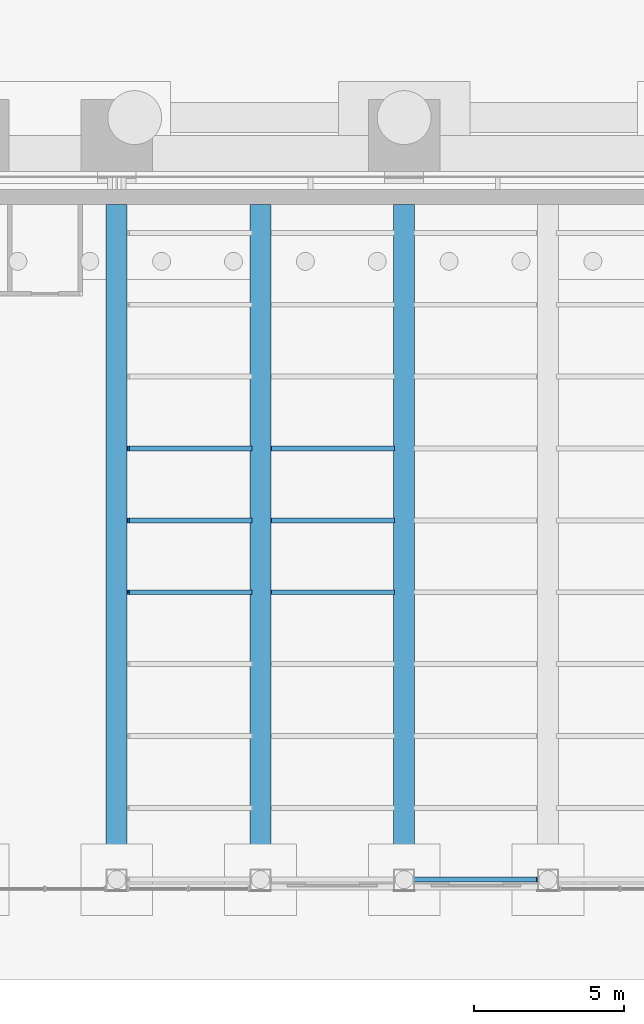
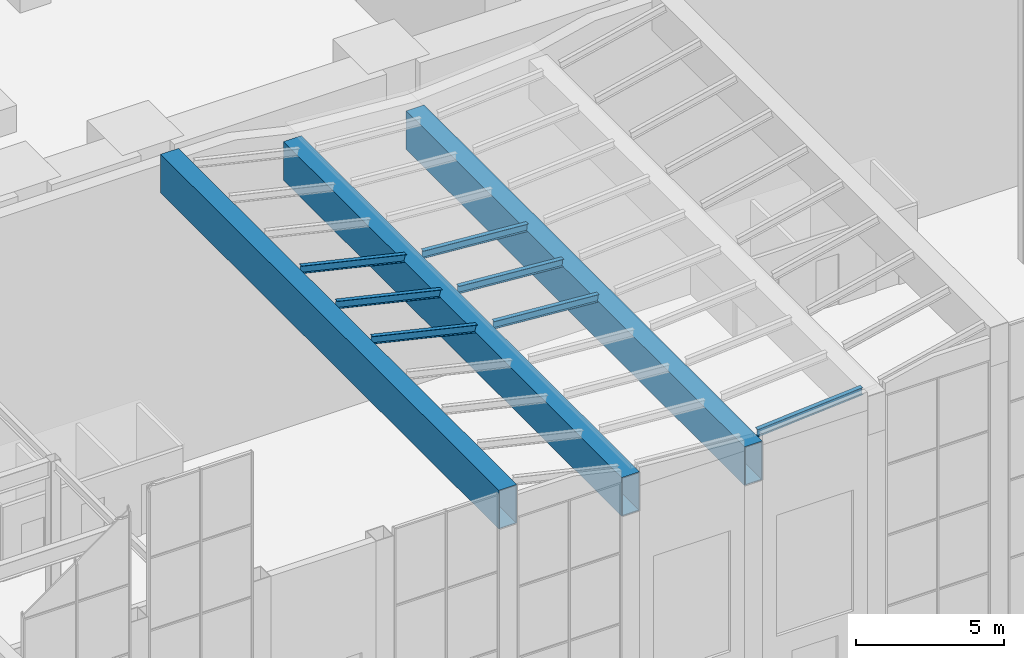
# One storey, part 23 of 58: 10 beams.
"""IFC4 building model written with IfcOpenShell, lengths in metres."""

from ifc_helpers import new_model, si_unit, direction, frame, origin, origin_2d, place, context, subcontext, project, spatial, hollow_rectangle, i_section, extrude, material, material_profile, profile_set, type_object, element, save


model = new_model("IFC4")

# Units and contexts
model_context = context("Model", 3, precision=1e-05, world=origin(), true_north=direction((0.0, 1.0)))
body_context = subcontext(model_context, "Body", "Model", "MODEL_VIEW")
ifc_project = project(units=[si_unit("LENGTHUNIT", "METRE"), si_unit("AREAUNIT", "SQUARE_METRE"), si_unit("VOLUMEUNIT", "CUBIC_METRE"), si_unit("PLANEANGLEUNIT", "RADIAN"), si_unit("MASSUNIT", "GRAM", prefix="KILO")], contexts=[model_context])

# Site, building, storey
site_placement = place(None, origin())
site = spatial("IfcSite", under=ifc_project, at=site_placement, CompositionType="ELEMENT")
building_placement = place(site_placement, origin())
building = spatial("IfcBuilding", under=site, at=building_placement, Name="Baori Bourse Tower", CompositionType="ELEMENT")
storey_placement = place(building_placement, origin())
storey = spatial("IfcBuildingStorey", under=building, at=storey_placement, Name="L00", CompositionType="ELEMENT", Elevation=0.0)

# Beams
ifc_material_1 = material(Name="Steel A572 Gr 50", Category="steel")
ifc_material_profile_1 = material_profile(ifc_material_1, hollow_rectangle(XDim=0.699951171875, YDim=1.60009765625, WallThickness=0.030029296875, at=origin_2d()), Name="BOX 1600x700x30")
ifc_profile_set_1 = profile_set([ifc_material_profile_1], Name="Steel A572 Gr 50")
beam_type_1 = type_object("IfcBeamType", Name="Hall box girder 1600x700", PredefinedType="BEAM", material=ifc_profile_set_1)
for number, where, z_axis, x_axis, name in (
    (1, (19.199951171875, -25.199951171875, 12.229248046875), (0.0, 1.0, 0.0), (-1.0, 0.0, 0.0), "wing/L00/girder/001"),
    (2, (24.0, -25.199951171875, 11.073486328125), (0.0, 1.0, 0.0), (-1.0, 0.0, 0.0), "wing/L00/girder/002"),
    (3, (28.800048828125, -25.199951171875, 10.665283203125), (0.0, 1.0, 0.0), (-1.0, 0.0, 0.0), "wing/L00/girder/003"),
):
    element("IfcBeam", number, at=place(storey_placement, frame(where, z_axis=z_axis, x_axis=x_axis)), inside=storey, type_object=beam_type_1, Name=name, PredefinedType="BEAM", context=body_context, shape_type="SweptSolid", body=[
        extrude(hollow_rectangle(XDim=0.699951171875, YDim=1.60009765625, WallThickness=0.030029296875, at=origin_2d()), origin(), (0.0, 0.0, 1.0), 22.89990234375),
    ])
ifc_material_2 = material(Name="Steel A992 Gr 50", Category="steel")
ifc_material_profile_2 = material_profile(ifc_material_2, i_section(OverallWidth=0.164794921875, OverallDepth=0.309814453125, WebThickness=0.005859375, FlangeThickness=0.009765625, at=origin_2d()), Name="W12x26")
ifc_profile_set_2 = profile_set([ifc_material_profile_2], Name="Steel A992 Gr 50")
beam_type_2 = type_object("IfcBeamType", Name="Wing beam W12x26", PredefinedType="BEAM", material=ifc_profile_set_2)
for number, where, z_axis, x_axis, name in (
    (4, (19.585205078125, -15.25, 12.980224609375), (0.973884396971, 0.0, -0.227044447933), (0.0, 1.0, 0.0), "wing/L00/purlin/005"),
    (5, (19.585205078125, -12.85009765625, 12.980224609375), (0.973884396971, 0.0, -0.227044447933), (0.0, 1.0, 0.0), "wing/L00/purlin/006"),
    (6, (19.585205078125, -10.449951171875, 12.980224609375), (0.973884396971, 0.0, -0.227044447933), (0.0, 1.0, 0.0), "wing/L00/purlin/007"),
):
    element("IfcBeam", number, at=place(storey_placement, frame(where, z_axis=z_axis, x_axis=x_axis)), inside=storey, type_object=beam_type_2, Name=name, PredefinedType="BEAM", context=body_context, shape_type="SweptSolid", body=[
        extrude(i_section(OverallWidth=0.164794921875, OverallDepth=0.309814453125, WebThickness=0.005859375, FlangeThickness=0.009765625, at=origin_2d()), origin(), (0.0, 0.0, 1.0), 4.209716796875),
    ])
for number, where, z_axis, x_axis, name in (
    (7, (24.36181640625, -15.25, 11.930908203125), (0.997134617999, 0.0, -0.075647561682), (0.0, 1.0, 0.0), "wing/L00/purlin/015"),
    (8, (24.36181640625, -12.85009765625, 11.930908203125), (0.997134617999, 0.0, -0.075647561682), (0.0, 1.0, 0.0), "wing/L00/purlin/016"),
    (9, (24.36181640625, -10.449951171875, 11.930908203125), (0.997134617999, 0.0, -0.075647561682), (0.0, 1.0, 0.0), "wing/L00/purlin/017"),
):
    element("IfcBeam", number, at=place(storey_placement, frame(where, z_axis=z_axis, x_axis=x_axis)), inside=storey, type_object=beam_type_2, Name=name, PredefinedType="BEAM", context=body_context, shape_type="SweptSolid", body=[
        extrude(i_section(OverallWidth=0.164794921875, OverallDepth=0.309814453125, WebThickness=0.005859375, FlangeThickness=0.009765625, at=origin_2d()), origin(), (0.0, 0.0, 1.0), 4.111572265625),
    ])
beam_placement = place(storey_placement, frame((29.13818359375, -24.85009765625, 11.619873046875), z_axis=(0.997134957762, 0.0, 0.075643083017), x_axis=(0.0, 1.0, 0.0)))
element("IfcBeam", 10, at=beam_placement, inside=storey, type_object=beam_type_2, Name="wing/L00/purlin/021", PredefinedType="BEAM", context=body_context, shape_type="SweptSolid", body=[
    extrude(i_section(OverallWidth=0.164794921875, OverallDepth=0.309814453125, WebThickness=0.005859375, FlangeThickness=0.009765625, at=origin_2d()), origin(), (0.0, 0.0, 1.0), 4.11181640625),
])

save(model, "model.ifc")
